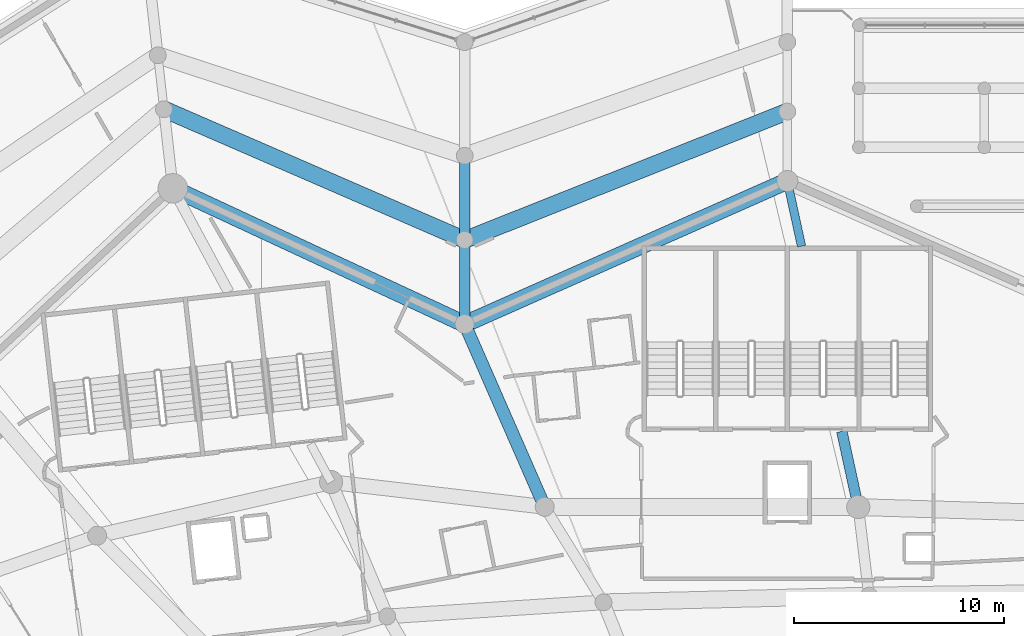
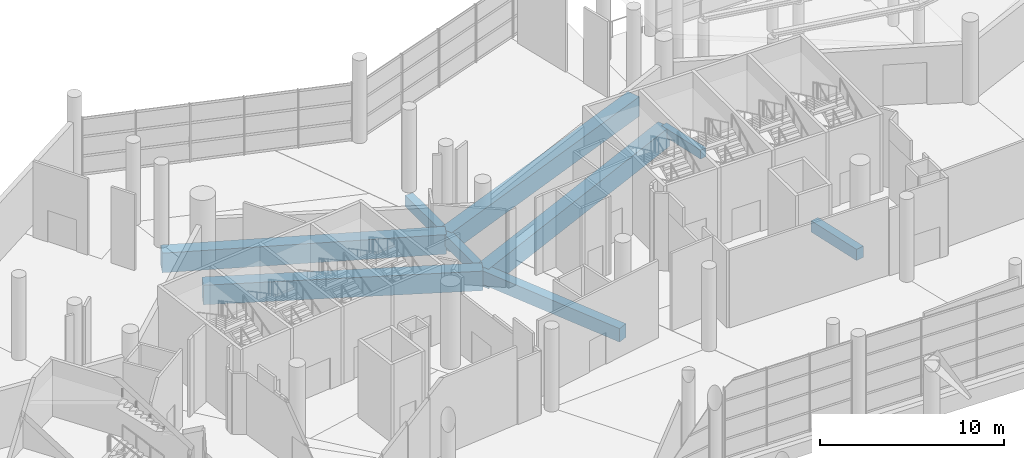
# One storey, part 84 of 271: 9 beams.
"""IFC4 building model written with IfcOpenShell, lengths in metres."""

from ifc_helpers import new_model, si_unit, direction, frame, origin, origin_2d, place, context, subcontext, project, spatial, rectangle, extrude, material, material_profile, profile_set, type_object, element, save


model = new_model("IFC4")

# Units and contexts
model_context = context("Model", 3, precision=1e-05, world=origin(), true_north=direction((0.0, 1.0)))
body_context = subcontext(model_context, "Body", "Model", "MODEL_VIEW")
ifc_project = project(units=[si_unit("LENGTHUNIT", "METRE"), si_unit("AREAUNIT", "SQUARE_METRE"), si_unit("VOLUMEUNIT", "CUBIC_METRE"), si_unit("PLANEANGLEUNIT", "RADIAN"), si_unit("MASSUNIT", "GRAM", prefix="KILO")], contexts=[model_context])

# Site, building, storey
site_placement = place(None, origin())
site = spatial("IfcSite", under=ifc_project, at=site_placement, CompositionType="ELEMENT")
building_placement = place(site_placement, origin())
building = spatial("IfcBuilding", under=site, at=building_placement, Name="Meseta Stadium", CompositionType="ELEMENT")
storey_placement = place(building_placement, frame((0.0, 0.0, 6.5)))
storey = spatial("IfcBuildingStorey", under=building, at=storey_placement, Name="L01", CompositionType="ELEMENT", Elevation=6.5)

# Beams
ifc_material_1 = material(Name="Concrete C40/50", Category="concrete")
ifc_material_profile_1 = material_profile(ifc_material_1, rectangle(XDim=0.39990234375, YDim=0.60009765625, at=origin_2d()), Name="RC 400x600")
ifc_profile_set_1 = profile_set([ifc_material_profile_1], Name="Concrete C40/50")
beam_type_1 = type_object("IfcBeamType", Name="RC beam 400x600", PredefinedType="BEAM", material=ifc_profile_set_1)
beam_1_placement = place(storey_placement, frame((-22.3251953125, 102.300048828125, -0.64990234375), z_axis=(-0.212707595725, 0.977115898305, 0.0), x_axis=(-0.977115898305, -0.212707595725, 0.0)))
element("IfcBeam", 1, at=beam_1_placement, inside=storey, type_object=beam_type_1, Name="L01 radial beam frame 20 line P to R", PredefinedType="BEAM", context=body_context, shape_type="SweptSolid", body=[
    extrude(rectangle(XDim=0.39990234375, YDim=0.60009765625, at=origin_2d()), origin(), (0.0, 0.0, 1.0), 3.17236328125),
])
ifc_material_2 = material(Name="Concrete C40/50", Category="concrete")
ifc_material_profile_2 = material_profile(ifc_material_2, rectangle(XDim=0.5, YDim=0.75, at=origin_2d()), Name="RC 500x750")
ifc_profile_set_2 = profile_set([ifc_material_profile_2], Name="Concrete C40/50")
beam_type_2 = type_object("IfcBeamType", Name="RC beam 500x750", PredefinedType="BEAM", material=ifc_profile_set_2)
beam_2_placement = place(storey_placement, frame((-19.62744140625, 89.90380859375, -0.72509765625), z_axis=(-0.212671990307, 0.977123648541, 0.0), x_axis=(-0.977123648541, -0.212671990307, 0.0)))
element("IfcBeam", 2, at=beam_2_placement, inside=storey, type_object=beam_type_2, Name="L01 radial beam frame 20 line P to R", PredefinedType="BEAM", context=body_context, shape_type="SweptSolid", body=[
    extrude(rectangle(XDim=0.5, YDim=0.75, at=origin_2d()), origin(), (0.0, 0.0, 1.0), 3.680419921875),
])
for number, where, z_axis, x_axis, name in (
    (3, (-38.333251953125, 98.60009765625, -0.72509765625), (0.0, 1.0, 0.0), (-1.0, 0.0, 0.0), "L01 radial beam frame 21 line R to M"),
    (4, (-38.333251953125, 102.60009765625, -0.72509765625), (0.0, 1.0, 0.0), (-1.0, 0.0, 0.0), "L01 radial beam frame 21 line M to Q"),
):
    element("IfcBeam", number, at=place(storey_placement, frame(where, z_axis=z_axis, x_axis=x_axis)), inside=storey, type_object=beam_type_2, Name=name, PredefinedType="BEAM", context=body_context, shape_type="SweptSolid", body=[
        extrude(rectangle(XDim=0.5, YDim=0.75, at=origin_2d()), origin(), (0.0, 0.0, 1.0), 4.0),
    ])
ifc_material_3 = material(Name="Concrete C40/50", Category="concrete")
ifc_material_profile_3 = material_profile(ifc_material_3, rectangle(XDim=0.60009765625, YDim=0.89990234375, at=origin_2d()), Name="RC 600x900")
ifc_profile_set_3 = profile_set([ifc_material_profile_3], Name="Concrete C40/50")
beam_type_3 = type_object("IfcBeamType", Name="RC beam 600x900", PredefinedType="BEAM", material=ifc_profile_set_3)
beam_3_placement = place(storey_placement, frame((-34.53076171875, 89.911865234375, -0.800048828125), z_axis=(-0.4009417199, 0.91610356251, 0.0), x_axis=(-0.91610356251, -0.4009417199, 0.0)))
element("IfcBeam", 5, at=beam_3_placement, inside=storey, type_object=beam_type_3, Name="L01 radial beam frame 21 line P to R", PredefinedType="BEAM", context=body_context, shape_type="SweptSolid", body=[
    extrude(rectangle(XDim=0.60009765625, YDim=0.89990234375, at=origin_2d()), origin(), (0.0, 0.0, 1.0), 9.48388671875),
])
ifc_material_4 = material(Name="Concrete C40/50", Category="concrete")
ifc_material_profile_4 = material_profile(ifc_material_4, rectangle(XDim=0.800048828125, YDim=1.300048828125, at=origin_2d()), Name="RC 800x1300")
ifc_profile_set_4 = profile_set([ifc_material_profile_4], Name="Concrete C40/50")
beam_type_4 = type_object("IfcBeamType", Name="RC beam 800x1300", PredefinedType="BEAM", material=ifc_profile_set_4)
beam_4_placement = place(storey_placement, frame((-23.0, 105.39990234375, -1.0), z_axis=(-0.914142564088, -0.405392861953, 0.0), x_axis=(0.405392861953, -0.914142564088, 0.0)))
element("IfcBeam", 6, at=beam_4_placement, inside=storey, type_object=beam_type_4, Name="L01 ring beam frame 20 line R", PredefinedType="BEAM", context=body_context, shape_type="SweptSolid", body=[
    extrude(rectangle(XDim=0.800048828125, YDim=1.300048828125, at=origin_2d()), origin(), (0.0, 0.0, 1.0), 16.7734375),
])
beam_5_placement = place(storey_placement, frame((-38.333251953125, 98.60009765625, -1.0), z_axis=(-0.906704363154, 0.421766757625, 0.0), x_axis=(-0.421766757625, -0.906704363154, 0.0)))
element("IfcBeam", 7, at=beam_5_placement, inside=storey, type_object=beam_type_4, Name="L01 ring beam frame 21 line R", PredefinedType="BEAM", context=body_context, shape_type="SweptSolid", body=[
    extrude(rectangle(XDim=0.800048828125, YDim=1.300048828125, at=origin_2d()), origin(), (0.0, 0.0, 1.0), 15.296630859375),
])
beam_6_placement = place(storey_placement, frame((-23.0, 108.699951171875, -1.0), z_axis=(-0.929173963419, -0.369642727108, 0.0), x_axis=(0.369642727108, -0.929173963419, 0.0)))
element("IfcBeam", 8, at=beam_6_placement, inside=storey, type_object=beam_type_4, Name="L01 ring beam frame 20 line M", PredefinedType="BEAM", context=body_context, shape_type="SweptSolid", body=[
    extrude(rectangle(XDim=0.800048828125, YDim=1.300048828125, at=origin_2d()), origin(), (0.0, 0.0, 1.0), 16.501953125),
])
beam_7_placement = place(storey_placement, frame((-38.333251953125, 102.60009765625, -1.0), z_axis=(-0.917218444674, 0.398384644219, 0.0), x_axis=(-0.398384644219, -0.917218444674, 0.0)))
element("IfcBeam", 9, at=beam_7_placement, inside=storey, type_object=beam_type_4, Name="L01 ring beam frame 21 line M", PredefinedType="BEAM", context=body_context, shape_type="SweptSolid", body=[
    extrude(rectangle(XDim=0.800048828125, YDim=1.300048828125, at=origin_2d()), origin(), (0.0, 0.0, 1.0), 15.5830078125),
])

save(model, "model.ifc")
